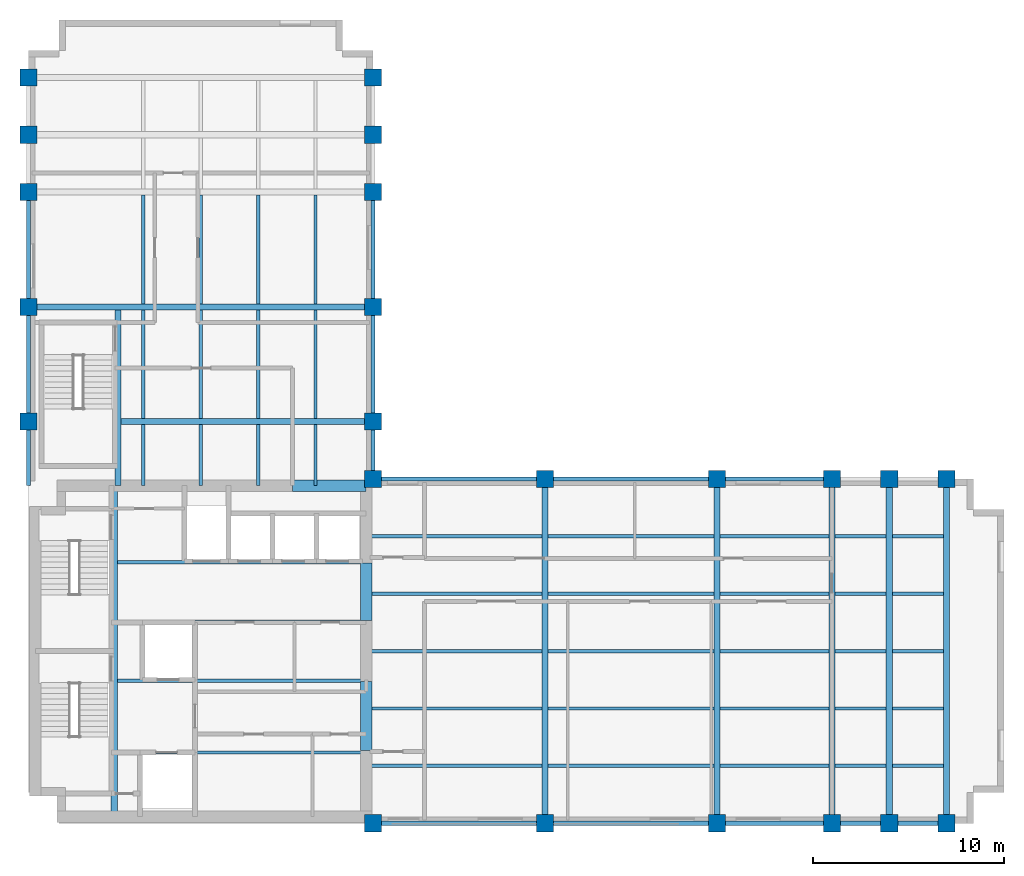
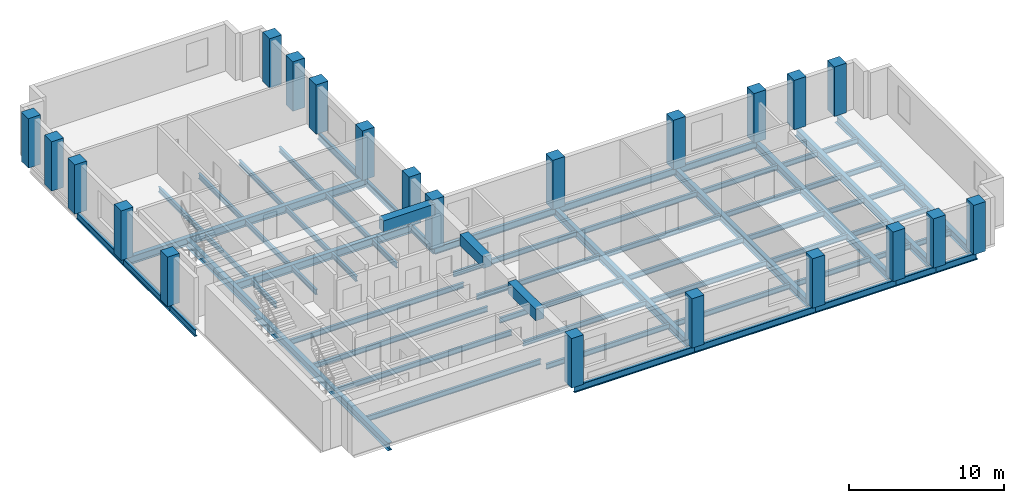
# One storey, part 1 of 6: 67 beams, 22 columns.
"""IFC4 building model written with IfcOpenShell, lengths in metres."""

from ifc_helpers import new_model, si_unit, direction, frame, origin, origin_2d, place, context, subcontext, project, spatial, rectangle, i_section, extrude, material, material_profile, profile_set, type_object, element, save


model = new_model("IFC4")

# Units and contexts
model_context = context("Model", 3, precision=1e-05, world=origin(), true_north=direction((0.0, 1.0)))
body_context = subcontext(model_context, "Body", "Model", "MODEL_VIEW")
ifc_project = project(units=[si_unit("LENGTHUNIT", "METRE"), si_unit("AREAUNIT", "SQUARE_METRE"), si_unit("VOLUMEUNIT", "CUBIC_METRE"), si_unit("PLANEANGLEUNIT", "RADIAN"), si_unit("MASSUNIT", "GRAM", prefix="KILO")], contexts=[model_context])

# Site, building, storey
site_placement = place(None, origin())
site = spatial("IfcSite", under=ifc_project, at=site_placement, CompositionType="ELEMENT")
building_placement = place(site_placement, origin())
building = spatial("IfcBuilding", under=site, at=building_placement, Name="Mawjdan Bourse Tower", CompositionType="ELEMENT")
storey_placement = place(building_placement, frame((0.0, 0.0, 183.89990234375)))
storey = spatial("IfcBuildingStorey", under=building, at=storey_placement, Name="L44", CompositionType="ELEMENT", Elevation=183.89990234375)

# Columns
ifc_material_1 = material(Name="Concrete C70/85", Category="concrete")
ifc_material_profile_1 = material_profile(ifc_material_1, rectangle(XDim=0.89990234375, YDim=0.89990234375, at=origin_2d()), Name="RC900X900")
ifc_profile_set_1 = profile_set([ifc_material_profile_1], Name="Concrete C70/85")
column_type = type_object("IfcColumnType", Name="COL-RC900X900", PredefinedType="COLUMN", material=ifc_profile_set_1)
for number, where, z_axis, x_axis, name in (
    (1, (24.0, 3.0, 0.0), (0.0, 0.0, 1.0), (1.0, 0.0, 0.0), "L44 Structural Column C-X240-Y30"),
    (2, (24.0, 21.0, 0.0), (0.0, 0.0, 1.0), (1.0, 0.0, 0.0), "L44 Structural Column C-X240-Y210"),
    (3, (33.0, 3.0, 0.0), (0.0, 0.0, 1.0), (1.0, 0.0, 0.0), "L44 Structural Column C-X330-Y30"),
    (4, (33.0, 21.0, 0.0), (0.0, 0.0, 1.0), (1.0, 0.0, 0.0), "L44 Structural Column C-X330-Y210"),
    (5, (42.0, 3.0, 0.0), (0.0, 0.0, 1.0), (1.0, 0.0, 0.0), "L44 Structural Column C-X420-Y30"),
    (6, (42.0, 21.0, 0.0), (0.0, 0.0, 1.0), (1.0, 0.0, 0.0), "L44 Structural Column C-X420-Y210"),
    (7, (48.0, 3.0, 0.0), (0.0, 0.0, 1.0), (1.0, 0.0, 0.0), "L44 Structural Column C-X480-Y30"),
    (8, (48.0, 21.0, 0.0), (0.0, 0.0, 1.0), (1.0, 0.0, 0.0), "L44 Structural Column C-X480-Y210"),
    (9, (51.0, 3.0, 0.0), (0.0, 0.0, 1.0), (1.0, 0.0, 0.0), "L44 Structural Column C-X510-Y30"),
    (10, (51.0, 21.0, 0.0), (0.0, 0.0, 1.0), (1.0, 0.0, 0.0), "L44 Structural Column C-X510-Y210"),
    (11, (54.0, 3.0, 0.0), (0.0, 0.0, 1.0), (1.0, 0.0, 0.0), "L44 Structural Column C-X540-Y30"),
    (12, (54.0, 21.0, 0.0), (0.0, 0.0, 1.0), (1.0, 0.0, 0.0), "L44 Structural Column C-X540-Y210"),
    (13, (6.0, 24.0, 0.0), (0.0, 0.0, 1.0), (1.0, 0.0, 0.0), "L44 Structural Column C-X60-Y240"),
    (14, (24.0, 24.0, 0.0), (0.0, 0.0, 1.0), (1.0, 0.0, 0.0), "L44 Structural Column C-X240-Y240"),
    (15, (6.0, 30.0, 0.0), (0.0, 0.0, 1.0), (1.0, 0.0, 0.0), "L44 Structural Column C-X60-Y300"),
    (16, (24.0, 30.0, 0.0), (0.0, 0.0, 1.0), (1.0, 0.0, 0.0), "L44 Structural Column C-X240-Y300"),
    (17, (6.0, 36.0, 0.0), (0.0, 0.0, 1.0), (1.0, 0.0, 0.0), "L44 Structural Column C-X60-Y360"),
    (18, (24.0, 36.0, 0.0), (0.0, 0.0, 1.0), (1.0, 0.0, 0.0), "L44 Structural Column C-X240-Y360"),
    (19, (6.0, 39.0, 0.0), (0.0, 0.0, 1.0), (1.0, 0.0, 0.0), "L44 Structural Column C-X60-Y390"),
    (20, (24.0, 39.0, 0.0), (0.0, 0.0, 1.0), (1.0, 0.0, 0.0), "L44 Structural Column C-X240-Y390"),
    (21, (6.0, 42.0, 0.0), (0.0, 0.0, 1.0), (1.0, 0.0, 0.0), "L44 Structural Column C-X60-Y420"),
    (22, (24.0, 42.0, 0.0), (0.0, 0.0, 1.0), (1.0, 0.0, 0.0), "L44 Structural Column C-X240-Y420"),
):
    element("IfcColumn", number, at=place(storey_placement, frame(where, z_axis=z_axis, x_axis=x_axis)), inside=storey, type_object=column_type, Name=name, PredefinedType="COLUMN", context=body_context, shape_type="SweptSolid", body=[
        extrude(rectangle(XDim=0.89990234375, YDim=0.89990234375, at=origin_2d()), origin(), (0.0, 0.0, 1.0), 3.900146484375),
    ])

# Beams
ifc_material_2 = material(Name="Structural Steel S355", Category="steel")
ifc_material_profile_2 = material_profile(ifc_material_2, i_section(OverallWidth=0.324951171875, OverallDepth=0.616943359375, WebThickness=0.013916015625, FlangeThickness=0.021484375, FilletRadius=0.017333984375, at=origin_2d()), Name="W24X117")
ifc_profile_set_2 = profile_set([ifc_material_profile_2], Name="Structural Steel S355")
beam_type_1 = type_object("IfcBeamType", Name="GRD-W24X117", PredefinedType="BEAM", material=ifc_profile_set_2)
beam_1_placement = place(storey_placement, frame((10.47998046875, 3.35009765625, -0.50830078125), z_axis=(0.0, 1.0, 0.0), x_axis=(-1.0, 0.0, 0.0)))
element("IfcBeam", 23, at=beam_1_placement, inside=storey, type_object=beam_type_1, Name="L44 Core Stair Trimmer Girder 001", PredefinedType="BEAM", context=body_context, shape_type="SweptSolid", body=[
    extrude(i_section(OverallWidth=0.324951171875, OverallDepth=0.616943359375, WebThickness=0.013916015625, FlangeThickness=0.021484375, FilletRadius=0.017333984375, at=origin_2d()), origin(), (0.0, 0.0, 1.0), 17.2998046875),
])
for number, where, z_axis, x_axis, name in (
    (24, (33.0, 3.0, -0.50830078125), (0.0, 1.0, 0.0), (-1.0, 0.0, 0.0), "L44 East Wing Clear-Span Girder 002"),
    (25, (42.0, 3.0, -0.50830078125), (0.0, 1.0, 0.0), (-1.0, 0.0, 0.0), "L44 East Wing Clear-Span Girder 003"),
    (26, (48.0, 3.0, -0.50830078125), (0.0, 1.0, 0.0), (-1.0, 0.0, 0.0), "L44 East Wing Clear-Span Girder 004"),
    (27, (51.0, 3.0, -0.50830078125), (0.0, 1.0, 0.0), (-1.0, 0.0, 0.0), "L44 East Wing Clear-Span Girder 005"),
    (28, (54.0, 3.0, -0.50830078125), (0.0, 1.0, 0.0), (-1.0, 0.0, 0.0), "L44 East Wing Clear-Span Girder 006"),
):
    element("IfcBeam", number, at=place(storey_placement, frame(where, z_axis=z_axis, x_axis=x_axis)), inside=storey, type_object=beam_type_1, Name=name, PredefinedType="BEAM", context=body_context, shape_type="SweptSolid", body=[
        extrude(i_section(OverallWidth=0.324951171875, OverallDepth=0.616943359375, WebThickness=0.013916015625, FlangeThickness=0.021484375, FilletRadius=0.017333984375, at=origin_2d()), origin(), (0.0, 0.0, 1.0), 18.0),
    ])
beam_2_placement = place(storey_placement, frame((10.679931640625, 20.64990234375, -0.50830078125), z_axis=(0.0, 1.0, 0.0), x_axis=(-1.0, 0.0, 0.0)))
element("IfcBeam", 29, at=beam_2_placement, inside=storey, type_object=beam_type_1, Name="L44 North Wing Stair Trimmer Girder 046", PredefinedType="BEAM", context=body_context, shape_type="SweptSolid", body=[
    extrude(i_section(OverallWidth=0.324951171875, OverallDepth=0.616943359375, WebThickness=0.013916015625, FlangeThickness=0.021484375, FilletRadius=0.017333984375, at=origin_2d()), origin(), (0.0, 0.0, 1.0), 9.189697265625),
])
beam_3_placement = place(storey_placement, frame((10.840576171875, 24.0, -0.50830078125), z_axis=(1.0, 0.0, 0.0), x_axis=(0.0, 1.0, 0.0)))
element("IfcBeam", 30, at=beam_3_placement, inside=storey, type_object=beam_type_1, Name="L44 North Wing Clear-Span Girder 047", PredefinedType="BEAM", context=body_context, shape_type="SweptSolid", body=[
    extrude(i_section(OverallWidth=0.324951171875, OverallDepth=0.616943359375, WebThickness=0.013916015625, FlangeThickness=0.021484375, FilletRadius=0.017333984375, at=origin_2d()), origin(), (0.0, 0.0, 1.0), 13.159423828125),
])
beam_4_placement = place(storey_placement, frame((6.0, 30.0, -0.50830078125), z_axis=(1.0, 0.0, 0.0), x_axis=(0.0, 1.0, 0.0)))
element("IfcBeam", 31, at=beam_4_placement, inside=storey, type_object=beam_type_1, Name="L44 North Wing Clear-Span Girder 048", PredefinedType="BEAM", context=body_context, shape_type="SweptSolid", body=[
    extrude(i_section(OverallWidth=0.324951171875, OverallDepth=0.616943359375, WebThickness=0.013916015625, FlangeThickness=0.021484375, FilletRadius=0.017333984375, at=origin_2d()), origin(), (0.0, 0.0, 1.0), 18.0),
])
ifc_material_profile_3 = material_profile(ifc_material_2, i_section(OverallWidth=0.177978515625, OverallDepth=0.406982421875, WebThickness=0.0078125, FlangeThickness=0.0126953125, FilletRadius=0.01025390625, at=origin_2d()), Name="W16X40")
ifc_profile_set_3 = profile_set([ifc_material_profile_3], Name="Structural Steel S355")
beam_type_2 = type_object("IfcBeamType", Name="JST-W16X40", PredefinedType="JOIST", material=ifc_profile_set_3)
beam_5_placement = place(storey_placement, frame((23.64990234375, 6.0, -0.4033203125), z_axis=(1.0, 0.0, 0.0), x_axis=(0.0, 1.0, 0.0)))
element("IfcBeam", 32, at=beam_5_placement, inside=storey, type_object=beam_type_2, Name="L44 East Wing Composite Joist 017", PredefinedType="JOIST", context=body_context, shape_type="SweptSolid", body=[
    extrude(i_section(OverallWidth=0.177978515625, OverallDepth=0.406982421875, WebThickness=0.0078125, FlangeThickness=0.0126953125, FilletRadius=0.01025390625, at=origin_2d()), origin(), (0.0, 0.0, 1.0), 9.189697265625),
])
beam_6_placement = place(storey_placement, frame((33.160400390625, 6.0, -0.4033203125), z_axis=(1.0, 0.0, 0.0), x_axis=(0.0, 1.0, 0.0)))
element("IfcBeam", 33, at=beam_6_placement, inside=storey, type_object=beam_type_2, Name="L44 East Wing Composite Joist 018", PredefinedType="JOIST", context=body_context, shape_type="SweptSolid", body=[
    extrude(i_section(OverallWidth=0.177978515625, OverallDepth=0.406982421875, WebThickness=0.0078125, FlangeThickness=0.0126953125, FilletRadius=0.01025390625, at=origin_2d()), origin(), (0.0, 0.0, 1.0), 8.67919921875),
])
beam_7_placement = place(storey_placement, frame((42.160400390625, 6.0, -0.4033203125), z_axis=(1.0, 0.0, 0.0), x_axis=(0.0, 1.0, 0.0)))
element("IfcBeam", 34, at=beam_7_placement, inside=storey, type_object=beam_type_2, Name="L44 East Wing Composite Joist 019", PredefinedType="JOIST", context=body_context, shape_type="SweptSolid", body=[
    extrude(i_section(OverallWidth=0.177978515625, OverallDepth=0.406982421875, WebThickness=0.0078125, FlangeThickness=0.0126953125, FilletRadius=0.01025390625, at=origin_2d()), origin(), (0.0, 0.0, 1.0), 5.67919921875),
])
for number, where, z_axis, x_axis, name in (
    (35, (48.160400390625, 6.0, -0.4033203125), (1.0, 0.0, 0.0), (0.0, 1.0, 0.0), "L44 East Wing Composite Joist 020"),
    (36, (51.160400390625, 6.0, -0.4033203125), (1.0, 0.0, 0.0), (0.0, 1.0, 0.0), "L44 East Wing Composite Joist 021"),
):
    element("IfcBeam", number, at=place(storey_placement, frame(where, z_axis=z_axis, x_axis=x_axis)), inside=storey, type_object=beam_type_2, Name=name, PredefinedType="JOIST", context=body_context, shape_type="SweptSolid", body=[
        extrude(i_section(OverallWidth=0.177978515625, OverallDepth=0.406982421875, WebThickness=0.0078125, FlangeThickness=0.0126953125, FilletRadius=0.01025390625, at=origin_2d()), origin(), (0.0, 0.0, 1.0), 2.67919921875),
    ])
beam_8_placement = place(storey_placement, frame((23.64990234375, 9.0, -0.4033203125), z_axis=(1.0, 0.0, 0.0), x_axis=(0.0, 1.0, 0.0)))
element("IfcBeam", 37, at=beam_8_placement, inside=storey, type_object=beam_type_2, Name="L44 East Wing Composite Joist 022", PredefinedType="JOIST", context=body_context, shape_type="SweptSolid", body=[
    extrude(i_section(OverallWidth=0.177978515625, OverallDepth=0.406982421875, WebThickness=0.0078125, FlangeThickness=0.0126953125, FilletRadius=0.01025390625, at=origin_2d()), origin(), (0.0, 0.0, 1.0), 9.189697265625),
])
beam_9_placement = place(storey_placement, frame((33.160400390625, 9.0, -0.4033203125), z_axis=(1.0, 0.0, 0.0), x_axis=(0.0, 1.0, 0.0)))
element("IfcBeam", 38, at=beam_9_placement, inside=storey, type_object=beam_type_2, Name="L44 East Wing Composite Joist 023", PredefinedType="JOIST", context=body_context, shape_type="SweptSolid", body=[
    extrude(i_section(OverallWidth=0.177978515625, OverallDepth=0.406982421875, WebThickness=0.0078125, FlangeThickness=0.0126953125, FilletRadius=0.01025390625, at=origin_2d()), origin(), (0.0, 0.0, 1.0), 8.67919921875),
])
beam_10_placement = place(storey_placement, frame((42.160400390625, 9.0, -0.4033203125), z_axis=(1.0, 0.0, 0.0), x_axis=(0.0, 1.0, 0.0)))
element("IfcBeam", 39, at=beam_10_placement, inside=storey, type_object=beam_type_2, Name="L44 East Wing Composite Joist 024", PredefinedType="JOIST", context=body_context, shape_type="SweptSolid", body=[
    extrude(i_section(OverallWidth=0.177978515625, OverallDepth=0.406982421875, WebThickness=0.0078125, FlangeThickness=0.0126953125, FilletRadius=0.01025390625, at=origin_2d()), origin(), (0.0, 0.0, 1.0), 5.67919921875),
])
for number, where, z_axis, x_axis, name in (
    (40, (48.160400390625, 9.0, -0.4033203125), (1.0, 0.0, 0.0), (0.0, 1.0, 0.0), "L44 East Wing Composite Joist 025"),
    (41, (51.160400390625, 9.0, -0.4033203125), (1.0, 0.0, 0.0), (0.0, 1.0, 0.0), "L44 East Wing Composite Joist 026"),
):
    element("IfcBeam", number, at=place(storey_placement, frame(where, z_axis=z_axis, x_axis=x_axis)), inside=storey, type_object=beam_type_2, Name=name, PredefinedType="JOIST", context=body_context, shape_type="SweptSolid", body=[
        extrude(i_section(OverallWidth=0.177978515625, OverallDepth=0.406982421875, WebThickness=0.0078125, FlangeThickness=0.0126953125, FilletRadius=0.01025390625, at=origin_2d()), origin(), (0.0, 0.0, 1.0), 2.67919921875),
    ])
beam_11_placement = place(storey_placement, frame((23.64990234375, 12.0, -0.4033203125), z_axis=(1.0, 0.0, 0.0), x_axis=(0.0, 1.0, 0.0)))
element("IfcBeam", 42, at=beam_11_placement, inside=storey, type_object=beam_type_2, Name="L44 East Wing Composite Joist 027", PredefinedType="JOIST", context=body_context, shape_type="SweptSolid", body=[
    extrude(i_section(OverallWidth=0.177978515625, OverallDepth=0.406982421875, WebThickness=0.0078125, FlangeThickness=0.0126953125, FilletRadius=0.01025390625, at=origin_2d()), origin(), (0.0, 0.0, 1.0), 9.189697265625),
])
beam_12_placement = place(storey_placement, frame((33.160400390625, 12.0, -0.4033203125), z_axis=(1.0, 0.0, 0.0), x_axis=(0.0, 1.0, 0.0)))
element("IfcBeam", 43, at=beam_12_placement, inside=storey, type_object=beam_type_2, Name="L44 East Wing Composite Joist 028", PredefinedType="JOIST", context=body_context, shape_type="SweptSolid", body=[
    extrude(i_section(OverallWidth=0.177978515625, OverallDepth=0.406982421875, WebThickness=0.0078125, FlangeThickness=0.0126953125, FilletRadius=0.01025390625, at=origin_2d()), origin(), (0.0, 0.0, 1.0), 8.67919921875),
])
beam_13_placement = place(storey_placement, frame((42.160400390625, 12.0, -0.4033203125), z_axis=(1.0, 0.0, 0.0), x_axis=(0.0, 1.0, 0.0)))
element("IfcBeam", 44, at=beam_13_placement, inside=storey, type_object=beam_type_2, Name="L44 East Wing Composite Joist 029", PredefinedType="JOIST", context=body_context, shape_type="SweptSolid", body=[
    extrude(i_section(OverallWidth=0.177978515625, OverallDepth=0.406982421875, WebThickness=0.0078125, FlangeThickness=0.0126953125, FilletRadius=0.01025390625, at=origin_2d()), origin(), (0.0, 0.0, 1.0), 5.67919921875),
])
for number, where, z_axis, x_axis, name in (
    (45, (48.160400390625, 12.0, -0.4033203125), (1.0, 0.0, 0.0), (0.0, 1.0, 0.0), "L44 East Wing Composite Joist 030"),
    (46, (51.160400390625, 12.0, -0.4033203125), (1.0, 0.0, 0.0), (0.0, 1.0, 0.0), "L44 East Wing Composite Joist 031"),
):
    element("IfcBeam", number, at=place(storey_placement, frame(where, z_axis=z_axis, x_axis=x_axis)), inside=storey, type_object=beam_type_2, Name=name, PredefinedType="JOIST", context=body_context, shape_type="SweptSolid", body=[
        extrude(i_section(OverallWidth=0.177978515625, OverallDepth=0.406982421875, WebThickness=0.0078125, FlangeThickness=0.0126953125, FilletRadius=0.01025390625, at=origin_2d()), origin(), (0.0, 0.0, 1.0), 2.67919921875),
    ])
beam_14_placement = place(storey_placement, frame((23.64990234375, 15.0, -0.4033203125), z_axis=(1.0, 0.0, 0.0), x_axis=(0.0, 1.0, 0.0)))
element("IfcBeam", 47, at=beam_14_placement, inside=storey, type_object=beam_type_2, Name="L44 East Wing Composite Joist 032", PredefinedType="JOIST", context=body_context, shape_type="SweptSolid", body=[
    extrude(i_section(OverallWidth=0.177978515625, OverallDepth=0.406982421875, WebThickness=0.0078125, FlangeThickness=0.0126953125, FilletRadius=0.01025390625, at=origin_2d()), origin(), (0.0, 0.0, 1.0), 9.189697265625),
])
beam_15_placement = place(storey_placement, frame((33.160400390625, 15.0, -0.4033203125), z_axis=(1.0, 0.0, 0.0), x_axis=(0.0, 1.0, 0.0)))
element("IfcBeam", 48, at=beam_15_placement, inside=storey, type_object=beam_type_2, Name="L44 East Wing Composite Joist 033", PredefinedType="JOIST", context=body_context, shape_type="SweptSolid", body=[
    extrude(i_section(OverallWidth=0.177978515625, OverallDepth=0.406982421875, WebThickness=0.0078125, FlangeThickness=0.0126953125, FilletRadius=0.01025390625, at=origin_2d()), origin(), (0.0, 0.0, 1.0), 8.67919921875),
])
beam_16_placement = place(storey_placement, frame((42.160400390625, 15.0, -0.4033203125), z_axis=(1.0, 0.0, 0.0), x_axis=(0.0, 1.0, 0.0)))
element("IfcBeam", 49, at=beam_16_placement, inside=storey, type_object=beam_type_2, Name="L44 East Wing Composite Joist 034", PredefinedType="JOIST", context=body_context, shape_type="SweptSolid", body=[
    extrude(i_section(OverallWidth=0.177978515625, OverallDepth=0.406982421875, WebThickness=0.0078125, FlangeThickness=0.0126953125, FilletRadius=0.01025390625, at=origin_2d()), origin(), (0.0, 0.0, 1.0), 5.67919921875),
])
for number, where, z_axis, x_axis, name in (
    (50, (48.160400390625, 15.0, -0.4033203125), (1.0, 0.0, 0.0), (0.0, 1.0, 0.0), "L44 East Wing Composite Joist 035"),
    (51, (51.160400390625, 15.0, -0.4033203125), (1.0, 0.0, 0.0), (0.0, 1.0, 0.0), "L44 East Wing Composite Joist 036"),
):
    element("IfcBeam", number, at=place(storey_placement, frame(where, z_axis=z_axis, x_axis=x_axis)), inside=storey, type_object=beam_type_2, Name=name, PredefinedType="JOIST", context=body_context, shape_type="SweptSolid", body=[
        extrude(i_section(OverallWidth=0.177978515625, OverallDepth=0.406982421875, WebThickness=0.0078125, FlangeThickness=0.0126953125, FilletRadius=0.01025390625, at=origin_2d()), origin(), (0.0, 0.0, 1.0), 2.67919921875),
    ])
beam_17_placement = place(storey_placement, frame((23.64990234375, 18.0, -0.4033203125), z_axis=(1.0, 0.0, 0.0), x_axis=(0.0, 1.0, 0.0)))
element("IfcBeam", 52, at=beam_17_placement, inside=storey, type_object=beam_type_2, Name="L44 East Wing Composite Joist 037", PredefinedType="JOIST", context=body_context, shape_type="SweptSolid", body=[
    extrude(i_section(OverallWidth=0.177978515625, OverallDepth=0.406982421875, WebThickness=0.0078125, FlangeThickness=0.0126953125, FilletRadius=0.01025390625, at=origin_2d()), origin(), (0.0, 0.0, 1.0), 9.189697265625),
])
beam_18_placement = place(storey_placement, frame((33.160400390625, 18.0, -0.4033203125), z_axis=(1.0, 0.0, 0.0), x_axis=(0.0, 1.0, 0.0)))
element("IfcBeam", 53, at=beam_18_placement, inside=storey, type_object=beam_type_2, Name="L44 East Wing Composite Joist 038", PredefinedType="JOIST", context=body_context, shape_type="SweptSolid", body=[
    extrude(i_section(OverallWidth=0.177978515625, OverallDepth=0.406982421875, WebThickness=0.0078125, FlangeThickness=0.0126953125, FilletRadius=0.01025390625, at=origin_2d()), origin(), (0.0, 0.0, 1.0), 8.67919921875),
])
beam_19_placement = place(storey_placement, frame((42.160400390625, 18.0, -0.4033203125), z_axis=(1.0, 0.0, 0.0), x_axis=(0.0, 1.0, 0.0)))
element("IfcBeam", 54, at=beam_19_placement, inside=storey, type_object=beam_type_2, Name="L44 East Wing Composite Joist 039", PredefinedType="JOIST", context=body_context, shape_type="SweptSolid", body=[
    extrude(i_section(OverallWidth=0.177978515625, OverallDepth=0.406982421875, WebThickness=0.0078125, FlangeThickness=0.0126953125, FilletRadius=0.01025390625, at=origin_2d()), origin(), (0.0, 0.0, 1.0), 5.67919921875),
])
for number, where, z_axis, x_axis, name in (
    (55, (48.160400390625, 18.0, -0.4033203125), (1.0, 0.0, 0.0), (0.0, 1.0, 0.0), "L44 East Wing Composite Joist 040"),
    (56, (51.160400390625, 18.0, -0.4033203125), (1.0, 0.0, 0.0), (0.0, 1.0, 0.0), "L44 East Wing Composite Joist 041"),
):
    element("IfcBeam", number, at=place(storey_placement, frame(where, z_axis=z_axis, x_axis=x_axis)), inside=storey, type_object=beam_type_2, Name=name, PredefinedType="JOIST", context=body_context, shape_type="SweptSolid", body=[
        extrude(i_section(OverallWidth=0.177978515625, OverallDepth=0.406982421875, WebThickness=0.0078125, FlangeThickness=0.0126953125, FilletRadius=0.01025390625, at=origin_2d()), origin(), (0.0, 0.0, 1.0), 2.67919921875),
    ])
for number, where, z_axis, x_axis, name in (
    (57, (10.640380859375, 6.699951171875, -0.4033203125), (1.0, 0.0, 0.0), (0.0, 1.0, 0.0), "L44 Core Floor Joist 042"),
    (58, (10.640380859375, 10.449951171875, -0.4033203125), (1.0, 0.0, 0.0), (0.0, 1.0, 0.0), "L44 Core Floor Joist 043"),
    (59, (10.640380859375, 13.550048828125, -0.4033203125), (1.0, 0.0, 0.0), (0.0, 1.0, 0.0), "L44 Core Floor Joist 044"),
    (60, (10.640380859375, 16.64990234375, -0.4033203125), (1.0, 0.0, 0.0), (0.0, 1.0, 0.0), "L44 Core Floor Joist 045"),
):
    element("IfcBeam", number, at=place(storey_placement, frame(where, z_axis=z_axis, x_axis=x_axis)), inside=storey, type_object=beam_type_2, Name=name, PredefinedType="JOIST", context=body_context, shape_type="SweptSolid", body=[
        extrude(i_section(OverallWidth=0.177978515625, OverallDepth=0.406982421875, WebThickness=0.0078125, FlangeThickness=0.0126953125, FilletRadius=0.01025390625, at=origin_2d()), origin(), (0.0, 0.0, 1.0), 13.009521484375),
    ])
beam_20_placement = place(storey_placement, frame((12.0, 20.64990234375, -0.4033203125), z_axis=(0.0, 1.0, 0.0), x_axis=(-1.0, 0.0, 0.0)))
element("IfcBeam", 61, at=beam_20_placement, inside=storey, type_object=beam_type_2, Name="L44 North Wing Composite Joist 062", PredefinedType="JOIST", context=body_context, shape_type="SweptSolid", body=[
    extrude(i_section(OverallWidth=0.177978515625, OverallDepth=0.406982421875, WebThickness=0.0078125, FlangeThickness=0.0126953125, FilletRadius=0.01025390625, at=origin_2d()), origin(), (0.0, 0.0, 1.0), 3.189697265625),
])
for number, where, z_axis, x_axis, name in (
    (62, (12.0, 24.160400390625, -0.4033203125), (0.0, 1.0, 0.0), (-1.0, 0.0, 0.0), "L44 North Wing Composite Joist 063"),
    (63, (12.0, 30.160400390625, -0.4033203125), (0.0, 1.0, 0.0), (-1.0, 0.0, 0.0), "L44 North Wing Composite Joist 064"),
):
    element("IfcBeam", number, at=place(storey_placement, frame(where, z_axis=z_axis, x_axis=x_axis)), inside=storey, type_object=beam_type_2, Name=name, PredefinedType="JOIST", context=body_context, shape_type="SweptSolid", body=[
        extrude(i_section(OverallWidth=0.177978515625, OverallDepth=0.406982421875, WebThickness=0.0078125, FlangeThickness=0.0126953125, FilletRadius=0.01025390625, at=origin_2d()), origin(), (0.0, 0.0, 1.0), 5.67919921875),
    ])
beam_21_placement = place(storey_placement, frame((15.0, 20.64990234375, -0.4033203125), z_axis=(0.0, 1.0, 0.0), x_axis=(-1.0, 0.0, 0.0)))
element("IfcBeam", 64, at=beam_21_placement, inside=storey, type_object=beam_type_2, Name="L44 North Wing Composite Joist 067", PredefinedType="JOIST", context=body_context, shape_type="SweptSolid", body=[
    extrude(i_section(OverallWidth=0.177978515625, OverallDepth=0.406982421875, WebThickness=0.0078125, FlangeThickness=0.0126953125, FilletRadius=0.01025390625, at=origin_2d()), origin(), (0.0, 0.0, 1.0), 3.189697265625),
])
for number, where, z_axis, x_axis, name in (
    (65, (15.0, 24.160400390625, -0.4033203125), (0.0, 1.0, 0.0), (-1.0, 0.0, 0.0), "L44 North Wing Composite Joist 068"),
    (66, (15.0, 30.160400390625, -0.4033203125), (0.0, 1.0, 0.0), (-1.0, 0.0, 0.0), "L44 North Wing Composite Joist 069"),
):
    element("IfcBeam", number, at=place(storey_placement, frame(where, z_axis=z_axis, x_axis=x_axis)), inside=storey, type_object=beam_type_2, Name=name, PredefinedType="JOIST", context=body_context, shape_type="SweptSolid", body=[
        extrude(i_section(OverallWidth=0.177978515625, OverallDepth=0.406982421875, WebThickness=0.0078125, FlangeThickness=0.0126953125, FilletRadius=0.01025390625, at=origin_2d()), origin(), (0.0, 0.0, 1.0), 5.67919921875),
    ])
beam_22_placement = place(storey_placement, frame((18.0, 20.64990234375, -0.4033203125), z_axis=(0.0, 1.0, 0.0), x_axis=(-1.0, 0.0, 0.0)))
element("IfcBeam", 67, at=beam_22_placement, inside=storey, type_object=beam_type_2, Name="L44 North Wing Composite Joist 072", PredefinedType="JOIST", context=body_context, shape_type="SweptSolid", body=[
    extrude(i_section(OverallWidth=0.177978515625, OverallDepth=0.406982421875, WebThickness=0.0078125, FlangeThickness=0.0126953125, FilletRadius=0.01025390625, at=origin_2d()), origin(), (0.0, 0.0, 1.0), 3.189697265625),
])
for number, where, z_axis, x_axis, name in (
    (68, (18.0, 24.160400390625, -0.4033203125), (0.0, 1.0, 0.0), (-1.0, 0.0, 0.0), "L44 North Wing Composite Joist 073"),
    (69, (18.0, 30.160400390625, -0.4033203125), (0.0, 1.0, 0.0), (-1.0, 0.0, 0.0), "L44 North Wing Composite Joist 074"),
):
    element("IfcBeam", number, at=place(storey_placement, frame(where, z_axis=z_axis, x_axis=x_axis)), inside=storey, type_object=beam_type_2, Name=name, PredefinedType="JOIST", context=body_context, shape_type="SweptSolid", body=[
        extrude(i_section(OverallWidth=0.177978515625, OverallDepth=0.406982421875, WebThickness=0.0078125, FlangeThickness=0.0126953125, FilletRadius=0.01025390625, at=origin_2d()), origin(), (0.0, 0.0, 1.0), 5.67919921875),
    ])
beam_23_placement = place(storey_placement, frame((21.0, 20.64990234375, -0.4033203125), z_axis=(0.0, 1.0, 0.0), x_axis=(-1.0, 0.0, 0.0)))
element("IfcBeam", 70, at=beam_23_placement, inside=storey, type_object=beam_type_2, Name="L44 North Wing Composite Joist 077", PredefinedType="JOIST", context=body_context, shape_type="SweptSolid", body=[
    extrude(i_section(OverallWidth=0.177978515625, OverallDepth=0.406982421875, WebThickness=0.0078125, FlangeThickness=0.0126953125, FilletRadius=0.01025390625, at=origin_2d()), origin(), (0.0, 0.0, 1.0), 3.189697265625),
])
for number, where, z_axis, x_axis, name in (
    (71, (21.0, 24.160400390625, -0.4033203125), (0.0, 1.0, 0.0), (-1.0, 0.0, 0.0), "L44 North Wing Composite Joist 078"),
    (72, (21.0, 30.160400390625, -0.4033203125), (0.0, 1.0, 0.0), (-1.0, 0.0, 0.0), "L44 North Wing Composite Joist 079"),
):
    element("IfcBeam", number, at=place(storey_placement, frame(where, z_axis=z_axis, x_axis=x_axis)), inside=storey, type_object=beam_type_2, Name=name, PredefinedType="JOIST", context=body_context, shape_type="SweptSolid", body=[
        extrude(i_section(OverallWidth=0.177978515625, OverallDepth=0.406982421875, WebThickness=0.0078125, FlangeThickness=0.0126953125, FilletRadius=0.01025390625, at=origin_2d()), origin(), (0.0, 0.0, 1.0), 5.67919921875),
    ])
ifc_material_profile_4 = material_profile(ifc_material_1, rectangle(XDim=0.60009765625, YDim=0.89990234375, at=origin_2d()), Name="RCB600X900")
ifc_profile_set_4 = profile_set([ifc_material_profile_4], Name="Concrete C70/85")
beam_type_3 = type_object("IfcBeamType", Name="LNT-RCB600X900", PredefinedType="LINTEL", material=ifc_profile_set_4)
beam_24_placement = place(storey_placement, frame((23.64990234375, 6.800048828125, 3.25), z_axis=(0.0, 1.0, 0.0), x_axis=(-1.0, 0.0, 0.0)))
element("IfcBeam", 73, at=beam_24_placement, inside=storey, type_object=beam_type_3, Name="L44 Coupled Core Lintel CB-E1", PredefinedType="LINTEL", context=body_context, shape_type="SweptSolid", body=[
    extrude(rectangle(XDim=0.60009765625, YDim=0.89990234375, at=origin_2d()), origin(), (0.0, 0.0, 1.0), 3.599853515625),
])
beam_25_placement = place(storey_placement, frame((23.64990234375, 13.60009765625, 3.25), z_axis=(0.0, 1.0, 0.0), x_axis=(-1.0, 0.0, 0.0)))
element("IfcBeam", 74, at=beam_25_placement, inside=storey, type_object=beam_type_3, Name="L44 Coupled Core Lintel CB-E2", PredefinedType="LINTEL", context=body_context, shape_type="SweptSolid", body=[
    extrude(rectangle(XDim=0.60009765625, YDim=0.89990234375, at=origin_2d()), origin(), (0.0, 0.0, 1.0), 3.0),
])
beam_26_placement = place(storey_placement, frame((19.800048828125, 20.64990234375, 3.25), z_axis=(1.0, 0.0, 0.0), x_axis=(0.0, 1.0, 0.0)))
element("IfcBeam", 75, at=beam_26_placement, inside=storey, type_object=beam_type_3, Name="L44 Coupled Core Lintel CB-N1", PredefinedType="LINTEL", context=body_context, shape_type="SweptSolid", body=[
    extrude(rectangle(XDim=0.60009765625, YDim=0.89990234375, at=origin_2d()), origin(), (0.0, 0.0, 1.0), 3.849853515625),
])
ifc_material_profile_5 = material_profile(ifc_material_2, i_section(OverallWidth=0.2119140625, OverallDepth=0.5439453125, WebThickness=0.01318359375, FlangeThickness=0.021240234375, FilletRadius=0.01708984375, at=origin_2d()), Name="W21X83")
ifc_profile_set_5 = profile_set([ifc_material_profile_5], Name="Structural Steel S355")
beam_type_4 = type_object("IfcBeamType", Name="SPN-W21X83", PredefinedType="SPANDREL", material=ifc_profile_set_5)
for number, where, z_axis, x_axis, name in (
    (76, (24.0, 3.0, -0.471923828125), (1.0, 0.0, 0.0), (0.0, 1.0, 0.0), "L44 Perimeter Masonry-Shelf Spandrel 007"),
    (77, (33.0, 3.0, -0.471923828125), (1.0, 0.0, 0.0), (0.0, 1.0, 0.0), "L44 Perimeter Masonry-Shelf Spandrel 008"),
):
    element("IfcBeam", number, at=place(storey_placement, frame(where, z_axis=z_axis, x_axis=x_axis)), inside=storey, type_object=beam_type_4, Name=name, PredefinedType="SPANDREL", context=body_context, shape_type="SweptSolid", body=[
        extrude(i_section(OverallWidth=0.2119140625, OverallDepth=0.5439453125, WebThickness=0.01318359375, FlangeThickness=0.021240234375, FilletRadius=0.01708984375, at=origin_2d()), origin(), (0.0, 0.0, 1.0), 9.0),
    ])
beam_27_placement = place(storey_placement, frame((42.0, 3.0, -0.471923828125), z_axis=(1.0, 0.0, 0.0), x_axis=(0.0, 1.0, 0.0)))
element("IfcBeam", 78, at=beam_27_placement, inside=storey, type_object=beam_type_4, Name="L44 Perimeter Masonry-Shelf Spandrel 009", PredefinedType="SPANDREL", context=body_context, shape_type="SweptSolid", body=[
    extrude(i_section(OverallWidth=0.2119140625, OverallDepth=0.5439453125, WebThickness=0.01318359375, FlangeThickness=0.021240234375, FilletRadius=0.01708984375, at=origin_2d()), origin(), (0.0, 0.0, 1.0), 6.0),
])
for number, where, z_axis, x_axis, name in (
    (79, (48.0, 3.0, -0.471923828125), (1.0, 0.0, 0.0), (0.0, 1.0, 0.0), "L44 Perimeter Masonry-Shelf Spandrel 010"),
    (80, (51.0, 3.0, -0.471923828125), (1.0, 0.0, 0.0), (0.0, 1.0, 0.0), "L44 Perimeter Masonry-Shelf Spandrel 011"),
):
    element("IfcBeam", number, at=place(storey_placement, frame(where, z_axis=z_axis, x_axis=x_axis)), inside=storey, type_object=beam_type_4, Name=name, PredefinedType="SPANDREL", context=body_context, shape_type="SweptSolid", body=[
        extrude(i_section(OverallWidth=0.2119140625, OverallDepth=0.5439453125, WebThickness=0.01318359375, FlangeThickness=0.021240234375, FilletRadius=0.01708984375, at=origin_2d()), origin(), (0.0, 0.0, 1.0), 3.0),
    ])
for number, where, z_axis, x_axis, name in (
    (81, (24.0, 21.0, -0.471923828125), (1.0, 0.0, 0.0), (0.0, 1.0, 0.0), "L44 Perimeter Masonry-Shelf Spandrel 012"),
    (82, (33.0, 21.0, -0.471923828125), (1.0, 0.0, 0.0), (0.0, 1.0, 0.0), "L44 Perimeter Masonry-Shelf Spandrel 013"),
):
    element("IfcBeam", number, at=place(storey_placement, frame(where, z_axis=z_axis, x_axis=x_axis)), inside=storey, type_object=beam_type_4, Name=name, PredefinedType="SPANDREL", context=body_context, shape_type="SweptSolid", body=[
        extrude(i_section(OverallWidth=0.2119140625, OverallDepth=0.5439453125, WebThickness=0.01318359375, FlangeThickness=0.021240234375, FilletRadius=0.01708984375, at=origin_2d()), origin(), (0.0, 0.0, 1.0), 9.0),
    ])
beam_28_placement = place(storey_placement, frame((42.0, 21.0, -0.471923828125), z_axis=(1.0, 0.0, 0.0), x_axis=(0.0, 1.0, 0.0)))
element("IfcBeam", 83, at=beam_28_placement, inside=storey, type_object=beam_type_4, Name="L44 Perimeter Masonry-Shelf Spandrel 014", PredefinedType="SPANDREL", context=body_context, shape_type="SweptSolid", body=[
    extrude(i_section(OverallWidth=0.2119140625, OverallDepth=0.5439453125, WebThickness=0.01318359375, FlangeThickness=0.021240234375, FilletRadius=0.01708984375, at=origin_2d()), origin(), (0.0, 0.0, 1.0), 6.0),
])
beam_29_placement = place(storey_placement, frame((6.0, 20.64990234375, -0.471923828125), z_axis=(0.0, 1.0, 0.0), x_axis=(-1.0, 0.0, 0.0)))
element("IfcBeam", 84, at=beam_29_placement, inside=storey, type_object=beam_type_4, Name="L44 North Wing Spandrel 052", PredefinedType="SPANDREL", context=body_context, shape_type="SweptSolid", body=[
    extrude(i_section(OverallWidth=0.2119140625, OverallDepth=0.5439453125, WebThickness=0.01318359375, FlangeThickness=0.021240234375, FilletRadius=0.01708984375, at=origin_2d()), origin(), (0.0, 0.0, 1.0), 3.35009765625),
])
for number, where, z_axis, x_axis, name in (
    (85, (6.0, 24.0, -0.471923828125), (0.0, 1.0, 0.0), (-1.0, 0.0, 0.0), "L44 North Wing Spandrel 053"),
    (86, (6.0, 30.0, -0.471923828125), (0.0, 1.0, 0.0), (-1.0, 0.0, 0.0), "L44 North Wing Spandrel 054"),
):
    element("IfcBeam", number, at=place(storey_placement, frame(where, z_axis=z_axis, x_axis=x_axis)), inside=storey, type_object=beam_type_4, Name=name, PredefinedType="SPANDREL", context=body_context, shape_type="SweptSolid", body=[
        extrude(i_section(OverallWidth=0.2119140625, OverallDepth=0.5439453125, WebThickness=0.01318359375, FlangeThickness=0.021240234375, FilletRadius=0.01708984375, at=origin_2d()), origin(), (0.0, 0.0, 1.0), 6.0),
    ])
beam_30_placement = place(storey_placement, frame((24.0, 21.0, -0.471923828125), z_axis=(0.0, 1.0, 0.0), x_axis=(-1.0, 0.0, 0.0)))
element("IfcBeam", 87, at=beam_30_placement, inside=storey, type_object=beam_type_4, Name="L44 North Wing Spandrel 057", PredefinedType="SPANDREL", context=body_context, shape_type="SweptSolid", body=[
    extrude(i_section(OverallWidth=0.2119140625, OverallDepth=0.5439453125, WebThickness=0.01318359375, FlangeThickness=0.021240234375, FilletRadius=0.01708984375, at=origin_2d()), origin(), (0.0, 0.0, 1.0), 3.0),
])
for number, where, z_axis, x_axis, name in (
    (88, (24.0, 24.0, -0.471923828125), (0.0, 1.0, 0.0), (-1.0, 0.0, 0.0), "L44 North Wing Spandrel 058"),
    (89, (24.0, 30.0, -0.471923828125), (0.0, 1.0, 0.0), (-1.0, 0.0, 0.0), "L44 North Wing Spandrel 059"),
):
    element("IfcBeam", number, at=place(storey_placement, frame(where, z_axis=z_axis, x_axis=x_axis)), inside=storey, type_object=beam_type_4, Name=name, PredefinedType="SPANDREL", context=body_context, shape_type="SweptSolid", body=[
        extrude(i_section(OverallWidth=0.2119140625, OverallDepth=0.5439453125, WebThickness=0.01318359375, FlangeThickness=0.021240234375, FilletRadius=0.01708984375, at=origin_2d()), origin(), (0.0, 0.0, 1.0), 6.0),
    ])

save(model, "model.ifc")
